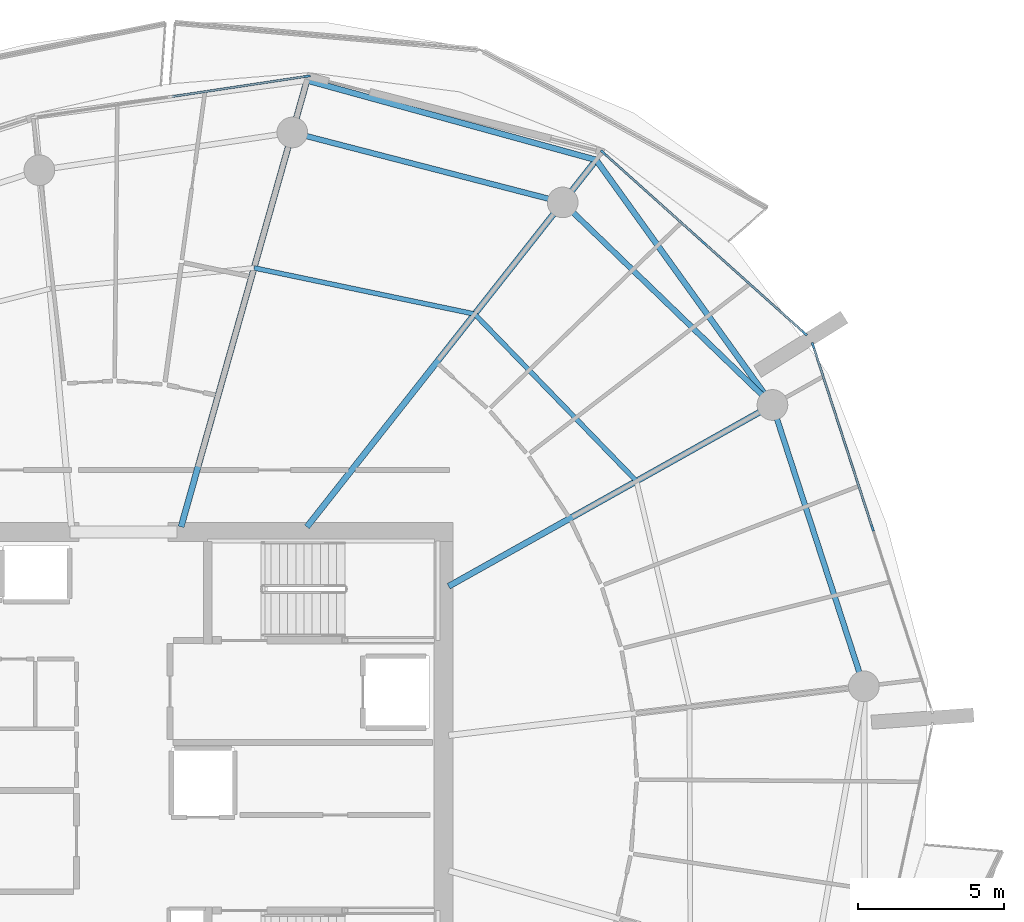
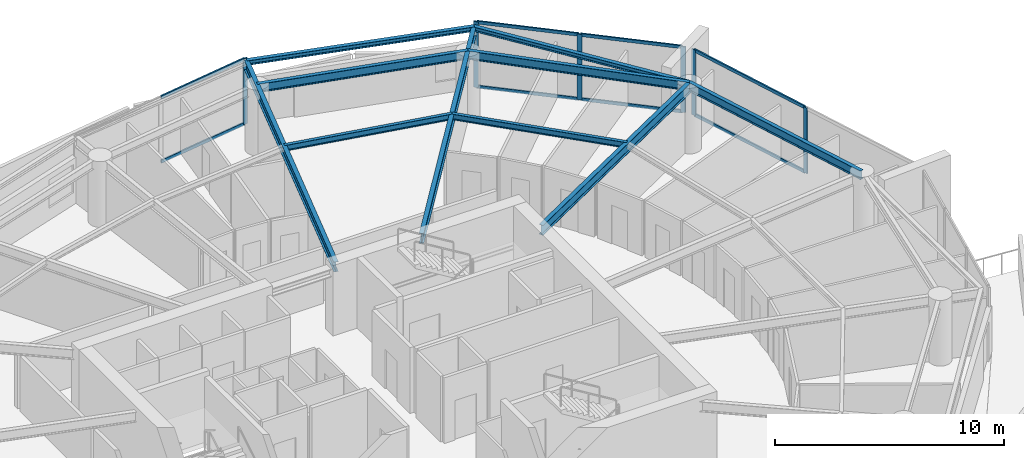
# One storey, part 9 of 21: 14 members, 10 beams, 3 elements without a shape of their own.
"""IFC4 building model written with IfcOpenShell, lengths in metres."""

import ifcopenshell
import ifcopenshell.guid

model = None  # the IFC model being written
_history = None  # IfcOwnerHistory: only IFC2X3 demands one
_inside = {}  # id of a spatial element -> (the spatial element, [elements in it])
_under = {}  # id of a project, library or spatial element -> (it, [spatial elements below it])
_declared = {}  # id of a project -> (the project, [libraries it declares])
_typed = {}  # id of a type object -> (the type object, [elements of that type])
_made_of = {}  # id of a material, layer set ... -> (it, [elements and type objects made of it])


def new_model(schema):
    """Start an empty IFC model of exactly this schema.

    Asked for "IFC4X3", IfcOpenShell would pick the latest addendum, in which some entities
    have other attributes; the version numbers below select the first issue.
    IFC2X3 requires an IfcOwnerHistory on every rooted entity: one is made here for all.
    """
    global model, _history
    if schema == "IFC4X3":
        model = ifcopenshell.file(schema_version=(4, 3, 0, 0))
    else:
        model = ifcopenshell.file(schema=schema)
    _inside.clear()
    _under.clear()
    _declared.clear()
    _typed.clear()
    _made_of.clear()
    _history = None
    if model.schema == "IFC2X3":
        org = make("IfcOrganization", Name="unknown")
        user = make(
            "IfcPersonAndOrganization",
            ThePerson=make("IfcPerson", FamilyName="unknown"),
            TheOrganization=org,
        )
        app = make(
            "IfcApplication",
            ApplicationDeveloper=org,
            Version="unknown",
            ApplicationFullName="unknown",
            ApplicationIdentifier="unknown",
        )
        _history = make(
            "IfcOwnerHistory",
            OwningUser=user,
            OwningApplication=app,
            ChangeAction="ADDED",
            CreationDate=0,
        )
    return model


def make(cls, **values):
    """One entity of the class cls with the attributes given. An attribute that is None is left unset."""
    return model.create_entity(
        cls, **{name: value for name, value in values.items() if value is not None}
    )


def rooted(cls, **values):
    """An entity with a GlobalId (a new one), such as an element, a storey or a relation."""
    return make(cls, GlobalId=ifcopenshell.guid.new(), OwnerHistory=_history, **values)


def si_unit(unit_type, name, prefix=None):
    """IfcSIUnit, for example si_unit("LENGTHUNIT", "METRE", prefix="MILLI")."""
    return make("IfcSIUnit", UnitType=unit_type, Prefix=prefix, Name=name)


def assignment(units):
    """IfcUnitAssignment: the units of a project."""
    return None if units is None else make("IfcUnitAssignment", Units=units)


def point(xyz):
    """IfcCartesianPoint."""
    return None if xyz is None else make("IfcCartesianPoint", Coordinates=xyz)


def direction(xyz):
    """IfcDirection."""
    return None if xyz is None else make("IfcDirection", DirectionRatios=xyz)


def frame(location, z_axis=None, x_axis=None):
    """IfcAxis2Placement3D, a coordinate frame: its origin and axes. An axis left out is left unset."""
    return make(
        "IfcAxis2Placement3D",
        Location=point(location),
        Axis=direction(z_axis),
        RefDirection=direction(x_axis),
    )


def frame_2d(location, x_axis=None):
    """IfcAxis2Placement2D, a coordinate frame in the plane: its origin and x axis."""
    return make(
        "IfcAxis2Placement2D", Location=point(location), RefDirection=direction(x_axis)
    )


def origin():
    """The frame at (0, 0, 0) with its axes left unset."""
    return frame((0.0, 0.0, 0.0))


def origin_2d():
    """The frame at (0, 0) in the plane with its x axis left unset."""
    return frame_2d((0.0, 0.0))


def place(relative_to, where):
    """IfcLocalPlacement: puts the frame where relative to a parent placement (None: the world)."""
    return make(
        "IfcLocalPlacement", PlacementRelTo=relative_to, RelativePlacement=where
    )


def context(
    kind, dimensions, precision=None, world=None, true_north=None, identifier=None
):
    """IfcGeometricRepresentationContext, for example the 3D "Model" context."""
    return make(
        "IfcGeometricRepresentationContext",
        ContextIdentifier=identifier,
        ContextType=kind,
        CoordinateSpaceDimension=dimensions,
        Precision=precision,
        WorldCoordinateSystem=world,
        TrueNorth=true_north,
    )


def subcontext(parent, identifier, kind, view, scale=None):
    """IfcGeometricRepresentationSubContext, for example "Body" below "Model"."""
    return make(
        "IfcGeometricRepresentationSubContext",
        ContextIdentifier=identifier,
        ContextType=kind,
        ParentContext=parent,
        TargetScale=scale,
        TargetView=view,
    )


def project(units=None, contexts=None):
    """IfcProject with its units and contexts."""
    return rooted(
        "IfcProject",
        Name="project",
        RepresentationContexts=contexts,
        UnitsInContext=assignment(units),
    )


def spatial(cls, under=None, at=None, **own):
    """A site, building, storey or space (cls), placed at a placement, below another one or the project."""
    s = rooted(cls, ObjectPlacement=at, **own)
    if under is not None:
        _under.setdefault(under.id(), (under, []))[1].append(s)
    return s


def profile(cls, at=None, kind="AREA", **sizes):
    """A parametric profile (cls). Its sizes go by their IFC names, for example OverallWidth=200.0."""
    return make(cls, ProfileType=kind, Position=at, **sizes)


def rectangle(**sizes):
    """IfcRectangleProfileDef."""
    return profile("IfcRectangleProfileDef", **sizes)


def i_section(**sizes):
    """IfcIShapeProfileDef."""
    return profile("IfcIShapeProfileDef", **sizes)


def extrude(swept, where, along, depth):
    """IfcExtrudedAreaSolid: the profile swept, set in the frame where, extruded along a direction by depth."""
    return make(
        "IfcExtrudedAreaSolid",
        SweptArea=swept,
        Position=where,
        ExtrudedDirection=direction(along),
        Depth=depth,
    )


def shape(context_of_items, identifier, shape_type, items):
    """IfcShapeRepresentation: the items that make up one representation, for example the "Body"."""
    return make(
        "IfcShapeRepresentation",
        ContextOfItems=context_of_items,
        RepresentationIdentifier=identifier,
        RepresentationType=shape_type,
        Items=items,
    )


def material(Name=None, Category=None):
    """IfcMaterial."""
    return make("IfcMaterial", Name=Name, Category=Category)


def layer(
    of_material, thickness, ventilated=None, Name=None, Category=None, Priority=None
):
    """IfcMaterialLayer: one layer of a wall or slab, of a material (None: an air gap)."""
    return make(
        "IfcMaterialLayer",
        Material=of_material,
        LayerThickness=thickness,
        IsVentilated=ventilated,
        Name=Name,
        Category=Category,
        Priority=Priority,
    )


def layer_set(layers, Name=None):
    """IfcMaterialLayerSet."""
    return make("IfcMaterialLayerSet", MaterialLayers=layers, LayerSetName=Name)


def material_profile(
    of_material, cross_section, Name=None, Category=None, Priority=None
):
    """IfcMaterialProfile: a cross section and its material."""
    return make(
        "IfcMaterialProfile",
        Name=Name,
        Material=of_material,
        Profile=cross_section,
        Priority=Priority,
        Category=Category,
    )


def profile_set(profiles, Name=None, composite=None):
    """IfcMaterialProfileSet."""
    return make(
        "IfcMaterialProfileSet",
        Name=Name,
        MaterialProfiles=profiles,
        CompositeProfile=composite,
    )


def made_of(thing, what):
    """Note that an element or type object is made of a material, layer set ...; save() writes the relation."""
    if what is not None:
        _made_of.setdefault(what.id(), (what, []))[1].append(thing)
    return thing


def type_object(cls, material=None, **own):
    """A type object (cls), such as IfcWallType, which elements share."""
    return made_of(rooted(cls, **own), material)


def element(
    cls,
    number,
    at=None,
    inside=None,
    cuts=None,
    type_object=None,
    material=None,
    context=None,
    identifier="Body",
    shape_type=None,
    held_by="IfcProductDefinitionShape",
    body=None,
    shapes=None,
    **own,
):
    """One element of the class cls, such as IfcWall. Its Tag is "e" and its number.

    at: its placement. inside: the storey or other place that contains it. cuts: it is an
    opening in that element (IfcRelVoidsElement). A single representation is given by context,
    identifier, shape_type and body (its items); several are given by shapes. held_by: the class
    of the entity that holds the representations. save() writes the other relations.
    """
    e = rooted(cls, Tag="e%d" % number, ObjectPlacement=at, **own)
    if body is not None:
        shapes = [shape(context, identifier, shape_type, body)]
    if shapes is not None:
        e.Representation = make(held_by, Representations=shapes)
    if inside is not None:
        _inside.setdefault(inside.id(), (inside, []))[1].append(e)
    if cuts is not None:
        rooted(
            "IfcRelVoidsElement", RelatingBuildingElement=cuts, RelatedOpeningElement=e
        )
    if type_object is not None:
        _typed.setdefault(type_object.id(), (type_object, []))[1].append(e)
    return made_of(e, material)


def aggregate(whole, parts):
    """IfcRelAggregates: a whole, such as a stair, and the parts it consists of."""
    return rooted("IfcRelAggregates", RelatingObject=whole, RelatedObjects=parts)


def save(model, path):
    """Write the relations noted so far, then the file.

    IfcRelAggregates (storeys below a building ...), IfcRelContainedInSpatialStructure (elements
    in a storey), IfcRelDefinesByType, IfcRelAssociatesMaterial and IfcRelDeclares: one each for
    every whole, place, type object, material and project.
    """
    for whole, parts in _under.values():
        aggregate(whole, parts)
    for where, things in _inside.values():
        rooted(
            "IfcRelContainedInSpatialStructure",
            RelatedElements=things,
            RelatingStructure=where,
        )
    for kind, things in _typed.values():
        rooted("IfcRelDefinesByType", RelatedObjects=things, RelatingType=kind)
    for what, things in _made_of.values():
        rooted("IfcRelAssociatesMaterial", RelatedObjects=things, RelatingMaterial=what)
    for by, libraries in _declared.values():
        rooted("IfcRelDeclares", RelatingContext=by, RelatedDefinitions=libraries)
    model.write(path)


model = new_model("IFC4")

# Units and contexts
model_context = context("Model", 3, precision=1e-05, world=origin(), true_north=direction((0.0, 1.0)))
body_context = subcontext(model_context, "Body", "Model", "MODEL_VIEW")
ifc_project = project(units=[si_unit("LENGTHUNIT", "METRE"), si_unit("AREAUNIT", "SQUARE_METRE"), si_unit("VOLUMEUNIT", "CUBIC_METRE"), si_unit("PLANEANGLEUNIT", "RADIAN"), si_unit("MASSUNIT", "GRAM", prefix="KILO")], contexts=[model_context])

# Site, building, storey
site_placement = place(None, origin())
site = spatial("IfcSite", under=ifc_project, at=site_placement, CompositionType="ELEMENT")
building_placement = place(site_placement, origin())
building = spatial("IfcBuilding", under=site, at=building_placement, Name="Kazma Halo Residences", CompositionType="ELEMENT")
storey_placement = place(building_placement, frame((0.0, 0.0, 180.300048828125)))
storey = spatial("IfcBuildingStorey", under=building, at=storey_placement, Name="L45", CompositionType="ELEMENT", Elevation=180.300048828125)

# Beams
ifc_material_1 = material(Name="Steel S355", Category="steel")
ifc_material_profile_1 = material_profile(ifc_material_1, i_section(OverallWidth=0.201904296875, OverallDepth=0.2470703125, WebThickness=0.00732421875, FlangeThickness=0.010986328125, FilletRadius=0.011962890625, at=origin_2d()), Name="W250x49.1")
ifc_profile_set_1 = profile_set([ifc_material_profile_1], Name="Steel S355")
beam_type_1 = type_object("IfcBeamType", Name="BM-BAL-CANT", PredefinedType="BEAM", material=ifc_profile_set_1)
beam_1_placement = place(storey_placement, frame((70.625, 54.670654296875, 3.37646484375), z_axis=(-0.583963922576, 0.811779611181, 0.0), x_axis=(-0.811779611181, -0.583963922576, 0.0)))
element("IfcBeam", 1, at=beam_1_placement, inside=storey, type_object=beam_type_1, Name="L45 wave-balcony lead tie beam 01", PredefinedType="BEAM", context=body_context, shape_type="SweptSolid", body=[
    extrude(i_section(OverallWidth=0.201904296875, OverallDepth=0.2470703125, WebThickness=0.00732421875, FlangeThickness=0.010986328125, FilletRadius=0.011962890625, at=origin_2d()), origin(), (0.0, 0.0, 1.0), 10.324462890625),
])
beam_2_placement = place(storey_placement, frame((64.595947265625, 63.0517578125, 3.37646484375), z_axis=(-0.964197026197, 0.265186905169, 0.0), x_axis=(-0.265186905169, -0.964197026197, 0.0)))
element("IfcBeam", 2, at=beam_2_placement, inside=storey, type_object=beam_type_1, Name="L45 wave-balcony tie beam 02", PredefinedType="BEAM", context=body_context, shape_type="SweptSolid", body=[
    extrude(i_section(OverallWidth=0.201904296875, OverallDepth=0.2470703125, WebThickness=0.00732421875, FlangeThickness=0.010986328125, FilletRadius=0.011962890625, at=origin_2d()), origin(), (0.0, 0.0, 1.0), 10.258544921875),
])
ifc_material_profile_2 = material_profile(ifc_material_1, i_section(OverallWidth=0.208984375, OverallDepth=0.532958984375, WebThickness=0.01025390625, FlangeThickness=0.015625, FilletRadius=0.01611328125, at=origin_2d()), Name="W530x92")
ifc_profile_set_2 = profile_set([ifc_material_profile_2], Name="Steel S355")
beam_type_2 = type_object("IfcBeamType", Name="BM-RAD-W530", PredefinedType="BEAM", material=ifc_profile_set_2)
beam_3_placement = place(storey_placement, frame((59.550048828125, 48.46826171875, 3.2333984375), z_axis=(0.872491912539, 0.488628552742, 0.0), x_axis=(-0.488628552742, 0.872491912539, 0.0)))
element("IfcBeam", 3, at=beam_3_placement, inside=storey, type_object=beam_type_2, Name="L45 radial floor beam 01", PredefinedType="BEAM", context=body_context, shape_type="SweptSolid", body=[
    extrude(i_section(OverallWidth=0.208984375, OverallDepth=0.532958984375, WebThickness=0.01025390625, FlangeThickness=0.015625, FilletRadius=0.01611328125, at=origin_2d()), origin(), (0.0, 0.0, 1.0), 12.693359375),
])
beam_4_placement = place(storey_placement, frame((54.700927734375, 50.5, 3.2333984375), z_axis=(0.61909439419, 0.785316580165, 0.0), x_axis=(-0.785316580165, 0.61909439419, 0.0)))
element("IfcBeam", 4, at=beam_4_placement, inside=storey, type_object=beam_type_2, Name="L45 radial floor beam 02", PredefinedType="BEAM", context=body_context, shape_type="SweptSolid", body=[
    extrude(i_section(OverallWidth=0.208984375, OverallDepth=0.532958984375, WebThickness=0.01025390625, FlangeThickness=0.015625, FilletRadius=0.01611328125, at=origin_2d()), origin(), (0.0, 0.0, 1.0), 15.983154296875),
])
beam_5_placement = place(storey_placement, frame((50.397216796875, 50.5, 3.2333984375), z_axis=(0.271449932859, 0.962452561922, 0.0), x_axis=(-0.962452561922, 0.271449932859, 0.0)))
element("IfcBeam", 5, at=beam_5_placement, inside=storey, type_object=beam_type_2, Name="L45 radial floor beam 03", PredefinedType="BEAM", context=body_context, shape_type="SweptSolid", body=[
    extrude(i_section(OverallWidth=0.208984375, OverallDepth=0.532958984375, WebThickness=0.01025390625, FlangeThickness=0.015625, FilletRadius=0.01611328125, at=origin_2d()), origin(), (0.0, 0.0, 1.0), 15.867919921875),
])
ifc_material_profile_3 = material_profile(ifc_material_1, i_section(OverallWidth=0.1650390625, OverallDepth=0.31005859375, WebThickness=0.005859375, FlangeThickness=0.009765625, FilletRadius=0.011962890625, at=origin_2d()), Name="W310x38.7")
ifc_profile_set_3 = profile_set([ifc_material_profile_3], Name="Steel S355")
beam_type_3 = type_object("IfcBeamType", Name="BM-SEC-W310B", PredefinedType="JOIST", material=ifc_profile_set_3)
beam_6_placement = place(storey_placement, frame((65.9736328125, 52.065673828125, 3.344970703125), z_axis=(-0.695659633946, 0.718371542934, 0.0), x_axis=(-0.718371542934, -0.695659633946, 0.0)))
element("IfcBeam", 6, at=beam_6_placement, inside=storey, type_object=beam_type_3, Name="L45 circumferential floor joist 01", PredefinedType="JOIST", context=body_context, shape_type="SweptSolid", body=[
    extrude(i_section(OverallWidth=0.1650390625, OverallDepth=0.31005859375, WebThickness=0.005859375, FlangeThickness=0.009765625, FilletRadius=0.011962890625, at=origin_2d()), origin(), (0.0, 0.0, 1.0), 7.95458984375),
])
beam_7_placement = place(storey_placement, frame((60.43994140625, 57.780029296875, 3.344970703125), z_axis=(-0.978821484976, 0.204715657802, 0.0), x_axis=(-0.204715657802, -0.978821484976, 0.0)))
element("IfcBeam", 7, at=beam_7_placement, inside=storey, type_object=beam_type_3, Name="L45 circumferential floor joist 02", PredefinedType="JOIST", context=body_context, shape_type="SweptSolid", body=[
    extrude(i_section(OverallWidth=0.1650390625, OverallDepth=0.31005859375, WebThickness=0.005859375, FlangeThickness=0.009765625, FilletRadius=0.011962890625, at=origin_2d()), origin(), (0.0, 0.0, 1.0), 7.707763671875),
])
ifc_material_profile_4 = material_profile(ifc_material_1, i_section(OverallWidth=0.18994140625, OverallDepth=0.45703125, WebThickness=0.009033203125, FlangeThickness=0.014404296875, FilletRadius=0.01611328125, at=origin_2d()), Name="W460x74")
ifc_profile_set_4 = profile_set([ifc_material_profile_4], Name="Steel S355")
beam_type_4 = type_object("IfcBeamType", Name="BM-SPN-W460", PredefinedType="BEAM", material=ifc_profile_set_4)
beam_8_placement = place(storey_placement, frame((70.625, 54.670654296875, 3.271484375), z_axis=(-0.71933650181, 0.694661786169, 0.0), x_axis=(-0.694661786169, -0.71933650181, 0.0)))
element("IfcBeam", 8, at=beam_8_placement, inside=storey, type_object=beam_type_4, Name="L45 perimeter ring beam 01", PredefinedType="BEAM", context=body_context, shape_type="SweptSolid", body=[
    extrude(i_section(OverallWidth=0.18994140625, OverallDepth=0.45703125, WebThickness=0.009033203125, FlangeThickness=0.014404296875, FilletRadius=0.01611328125, at=origin_2d()), origin(), (0.0, 0.0, 1.0), 9.9736328125),
])
beam_9_placement = place(storey_placement, frame((63.45068359375, 61.598876953125, 3.271484375), z_axis=(-0.968120950739, 0.25048318255, 0.0), x_axis=(-0.25048318255, -0.968120950739, 0.0)))
element("IfcBeam", 9, at=beam_9_placement, inside=storey, type_object=beam_type_4, Name="L45 perimeter ring beam 02", PredefinedType="BEAM", context=body_context, shape_type="SweptSolid", body=[
    extrude(i_section(OverallWidth=0.18994140625, OverallDepth=0.45703125, WebThickness=0.009033203125, FlangeThickness=0.014404296875, FilletRadius=0.01611328125, at=origin_2d()), origin(), (0.0, 0.0, 1.0), 9.552734375),
])
beam_10_placement = place(storey_placement, frame((73.751708984375, 45.0478515625, 3.271484375), z_axis=(-0.309023327426, 0.951054458539, 0.0), x_axis=(-0.951054458539, -0.309023327426, 0.0)))
element("IfcBeam", 10, at=beam_10_placement, inside=storey, type_object=beam_type_4, Name="L45 perimeter ring beam 16", PredefinedType="BEAM", context=body_context, shape_type="SweptSolid", body=[
    extrude(i_section(OverallWidth=0.18994140625, OverallDepth=0.45703125, WebThickness=0.009033203125, FlangeThickness=0.014404296875, FilletRadius=0.01611328125, at=origin_2d()), origin(), (0.0, 0.0, 1.0), 10.117919921875),
])

# Curtain wall, members
ifc_material_2 = material(Name="Aluminium AW-6063 T6 and Triple-Silver Low-E Glass", Category="aluminium")
ifc_layer = layer(ifc_material_2, 0.219970703125)
ifc_layer_set = layer_set([ifc_layer], Name="Aluminium AW-6063 T6 and Triple-Silver Low-E Glass")
curtain_wall_type = type_object("IfcCurtainWallType", Name="CW-SYS-4", PredefinedType="NOTDEFINED", material=ifc_layer_set)
curtain_wall_1_placement = place(storey_placement, origin())
curtain_wall_1 = element("IfcCurtainWall", 11, at=curtain_wall_1_placement, inside=storey, type_object=curtain_wall_type, Name="L45 unitised curtain wall B01", PredefinedType="NOTDEFINED")
ifc_material_3 = material(Name="Aluminium AW-6063 T6", Category="aluminium")
ifc_material_profile_5 = material_profile(ifc_material_3, rectangle(XDim=0.074951171875, YDim=0.219970703125, at=origin_2d()), Name="CWM-75x220")
ifc_profile_set_5 = profile_set([ifc_material_profile_5], Name="Aluminium AW-6063 T6")
member_type_1 = type_object("IfcMemberType", Name="CW-SYS-4-MUL", PredefinedType="MULLION", material=ifc_profile_set_5)
member_1_placement = place(storey_placement, frame((71.7216796875, 57.126220703125, 0.0), z_axis=(0.0, 0.0, 1.0), x_axis=(-0.667784328806, -0.744354814723, 0.0)))
member_1 = element("IfcMember", 12, at=member_1_placement, type_object=member_type_1, Name="CWS-4 mullion 1", PredefinedType="MULLION", context=body_context, shape_type="SweptSolid", body=[
    extrude(rectangle(XDim=0.074951171875, YDim=0.219970703125, at=origin_2d()), origin(), (0.0, 0.0, 1.0), 3.5),
])
member_2_placement = place(storey_placement, frame((68.280517578125, 60.213134765625, 0.0), z_axis=(0.0, 0.0, 1.0), x_axis=(-0.667784328806, -0.744354814723, 0.0)))
member_2 = element("IfcMember", 13, at=member_2_placement, type_object=member_type_1, Name="CWS-4 mullion 2", PredefinedType="MULLION", context=body_context, shape_type="SweptSolid", body=[
    extrude(rectangle(XDim=0.074951171875, YDim=0.219970703125, at=origin_2d()), origin(), (0.0, 0.0, 1.0), 3.5),
])
member_3_placement = place(storey_placement, frame((64.839599609375, 63.30029296875, 0.0), z_axis=(0.0, 0.0, 1.0), x_axis=(-0.667784328806, -0.744354814723, 0.0)))
member_3 = element("IfcMember", 14, at=member_3_placement, type_object=member_type_1, Name="CWS-4 mullion 3", PredefinedType="MULLION", context=body_context, shape_type="SweptSolid", body=[
    extrude(rectangle(XDim=0.074951171875, YDim=0.219970703125, at=origin_2d()), origin(), (0.0, 0.0, 1.0), 3.5),
])

# Curtain wall, member
curtain_wall_2_placement = place(storey_placement, origin())
curtain_wall_2 = element("IfcCurtainWall", 15, at=curtain_wall_2_placement, inside=storey, type_object=curtain_wall_type, Name="L45 unitised curtain wall B03", PredefinedType="NOTDEFINED")
member_4_placement = place(storey_placement, frame((54.708740234375, 65.913330078125, 0.0), z_axis=(0.0, 0.0, 1.0), x_axis=(0.148772639188, -0.988871428361, 0.0)))
member_4 = element("IfcMember", 16, at=member_4_placement, type_object=member_type_1, Name="CWS-4 mullion 1", PredefinedType="MULLION", context=body_context, shape_type="SweptSolid", body=[
    extrude(rectangle(XDim=0.074951171875, YDim=0.219970703125, at=origin_2d()), origin(), (0.0, 0.0, 1.0), 3.5),
])

# Curtain wall, members
curtain_wall_3_placement = place(storey_placement, origin())
curtain_wall_3 = element("IfcCurtainWall", 17, at=curtain_wall_3_placement, inside=storey, type_object=curtain_wall_type, Name="L45 unitised curtain wall B16", PredefinedType="NOTDEFINED")
member_5_placement = place(storey_placement, frame((74.04345703125, 50.4619140625, 0.0), z_axis=(0.0, 0.0, 1.0), x_axis=(-0.951056893636, -0.309015833038, 0.0)))
member_5 = element("IfcMember", 18, at=member_5_placement, type_object=member_type_1, Name="CWS-4 mullion 2", PredefinedType="MULLION", context=body_context, shape_type="SweptSolid", body=[
    extrude(rectangle(XDim=0.074951171875, YDim=0.219970703125, at=origin_2d()), origin(), (0.0, 0.0, 1.0), 3.5),
])
member_6_placement = place(storey_placement, frame((72.015625, 56.702880859375, 0.0), z_axis=(0.0, 0.0, 1.0), x_axis=(-0.951056893636, -0.309015833038, 0.0)))
member_6 = element("IfcMember", 19, at=member_6_placement, type_object=member_type_1, Name="CWS-4 mullion 3", PredefinedType="MULLION", context=body_context, shape_type="SweptSolid", body=[
    extrude(rectangle(XDim=0.074951171875, YDim=0.219970703125, at=origin_2d()), origin(), (0.0, 0.0, 1.0), 3.5),
])

# Member
ifc_material_profile_6 = material_profile(ifc_material_3, rectangle(XDim=0.074951171875, YDim=0.1650390625, at=origin_2d()), Name="CWT-75x165")
ifc_profile_set_6 = profile_set([ifc_material_profile_6], Name="Aluminium AW-6063 T6")
member_type_2 = type_object("IfcMemberType", Name="CW-SYS-4-TRN", PredefinedType="USERDEFINED", material=ifc_profile_set_6)
member_7_placement = place(storey_placement, frame((71.69384765625, 57.151123046875, 0.037353515625), z_axis=(-0.744344906673, 0.667795372783, 0.0), x_axis=(-0.667795372783, -0.744344906673, 0.0)))
member_7 = element("IfcMember", 20, at=member_7_placement, type_object=member_type_2, Name="CWS-4 transom 1.1", ObjectType="TRANSOM", PredefinedType="USERDEFINED", context=body_context, shape_type="SweptSolid", body=[
    extrude(rectangle(XDim=0.074951171875, YDim=0.1650390625, at=origin_2d()), origin(), (0.0, 0.0, 1.0), 4.5478515625),
])

member_8_placement = place(storey_placement, frame((71.69384765625, 57.151123046875, 3.46240234375), z_axis=(-0.744344906673, 0.667795372783, 0.0), x_axis=(-0.667795372783, -0.744344906673, 0.0)))
member_8 = element("IfcMember", 21, at=member_8_placement, type_object=member_type_2, Name="CWS-4 transom 1.2", ObjectType="TRANSOM", PredefinedType="USERDEFINED", context=body_context, shape_type="SweptSolid", body=[
    extrude(rectangle(XDim=0.074951171875, YDim=0.1650390625, at=origin_2d()), origin(), (0.0, 0.0, 1.0), 4.5478515625),
])

member_9_placement = place(storey_placement, frame((68.252685546875, 60.23828125, 0.037353515625), z_axis=(-0.744344906673, 0.667795372783, 0.0), x_axis=(-0.667795372783, -0.744344906673, 0.0)))
member_9 = element("IfcMember", 22, at=member_9_placement, type_object=member_type_2, Name="CWS-4 transom 2.1", ObjectType="TRANSOM", PredefinedType="USERDEFINED", context=body_context, shape_type="SweptSolid", body=[
    extrude(rectangle(XDim=0.074951171875, YDim=0.1650390625, at=origin_2d()), origin(), (0.0, 0.0, 1.0), 4.5478515625),
])

member_10_placement = place(storey_placement, frame((68.252685546875, 60.23828125, 3.46240234375), z_axis=(-0.744344906673, 0.667795372783, 0.0), x_axis=(-0.667795372783, -0.744344906673, 0.0)))
member_10 = element("IfcMember", 23, at=member_10_placement, type_object=member_type_2, Name="CWS-4 transom 2.2", ObjectType="TRANSOM", PredefinedType="USERDEFINED", context=body_context, shape_type="SweptSolid", body=[
    extrude(rectangle(XDim=0.074951171875, YDim=0.1650390625, at=origin_2d()), origin(), (0.0, 0.0, 1.0), 4.5478515625),
])

aggregate(curtain_wall_1, [member_1, member_2, member_3, member_7, member_8, member_9, member_10])

member_11_placement = place(storey_placement, frame((54.671630859375, 65.907958984375, 0.037353515625), z_axis=(-0.988867623216, -0.148797929272, 0.0), x_axis=(0.148797929272, -0.988867623216, 0.0)))
member_11 = element("IfcMember", 24, at=member_11_placement, type_object=member_type_2, Name="CWS-4 transom 1.1", ObjectType="TRANSOM", PredefinedType="USERDEFINED", context=body_context, shape_type="SweptSolid", body=[
    extrude(rectangle(XDim=0.074951171875, YDim=0.1650390625, at=origin_2d()), origin(), (0.0, 0.0, 1.0), 4.64501953125),
])

member_12_placement = place(storey_placement, frame((54.671630859375, 65.907958984375, 3.46240234375), z_axis=(-0.988867623216, -0.148797929272, 0.0), x_axis=(0.148797929272, -0.988867623216, 0.0)))
member_12 = element("IfcMember", 25, at=member_12_placement, type_object=member_type_2, Name="CWS-4 transom 1.2", ObjectType="TRANSOM", PredefinedType="USERDEFINED", context=body_context, shape_type="SweptSolid", body=[
    extrude(rectangle(XDim=0.074951171875, YDim=0.1650390625, at=origin_2d()), origin(), (0.0, 0.0, 1.0), 4.64501953125),
])

aggregate(curtain_wall_2, [member_4, member_11, member_12])

member_13_placement = place(storey_placement, frame((74.031982421875, 50.49755859375, 0.037353515625), z_axis=(-0.309015440644, 0.951057021132, 0.0), x_axis=(-0.951057021132, -0.309015440644, 0.0)))
member_13 = element("IfcMember", 26, at=member_13_placement, type_object=member_type_2, Name="CWS-4 transom 2.1", ObjectType="TRANSOM", PredefinedType="USERDEFINED", context=body_context, shape_type="SweptSolid", body=[
    extrude(rectangle(XDim=0.074951171875, YDim=0.1650390625, at=origin_2d()), origin(), (0.0, 0.0, 1.0), 6.487060546875),
])

member_14_placement = place(storey_placement, frame((74.031982421875, 50.49755859375, 3.46240234375), z_axis=(-0.309015440644, 0.951057021132, 0.0), x_axis=(-0.951057021132, -0.309015440644, 0.0)))
member_14 = element("IfcMember", 27, at=member_14_placement, type_object=member_type_2, Name="CWS-4 transom 2.2", ObjectType="TRANSOM", PredefinedType="USERDEFINED", context=body_context, shape_type="SweptSolid", body=[
    extrude(rectangle(XDim=0.074951171875, YDim=0.1650390625, at=origin_2d()), origin(), (0.0, 0.0, 1.0), 6.487060546875),
])

aggregate(curtain_wall_3, [member_5, member_6, member_13, member_14])

save(model, "model.ifc")
